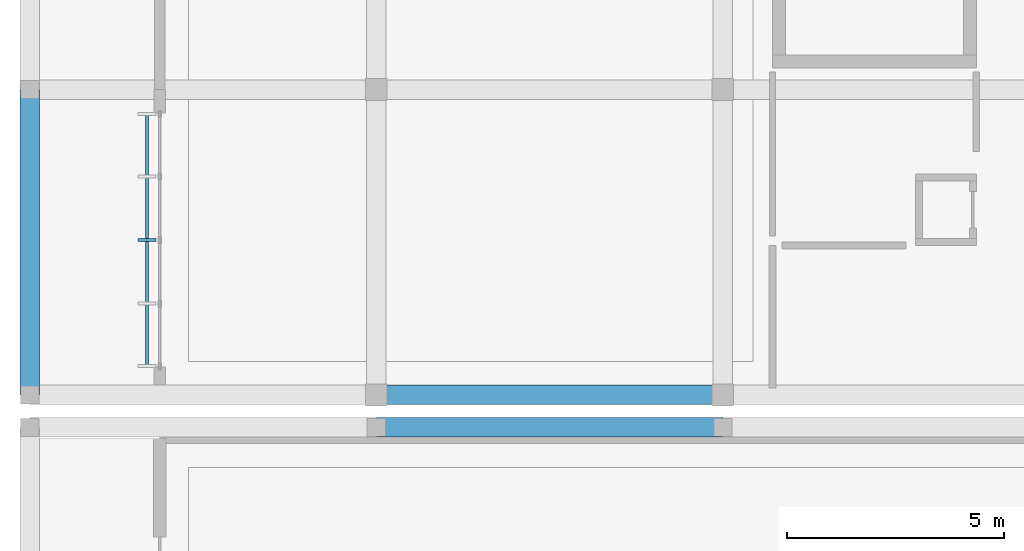
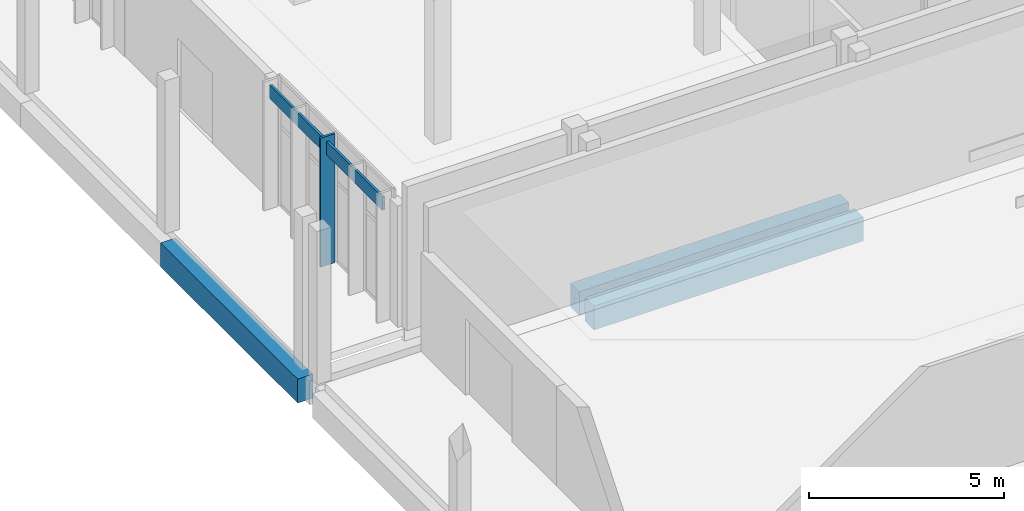
# One storey, part 24 of 151: 3 beams, 2 members, 1 element without a shape of its own.
"""IFC4 building model written with IfcOpenShell, lengths in metres."""

from ifc_helpers import new_model, si_unit, direction, frame, origin, origin_2d, place, context, subcontext, project, spatial, rectangle, extrude, material, material_profile, profile_set, type_object, element, aggregate, save


model = new_model("IFC4")

# Units and contexts
model_context = context("Model", 3, precision=1e-05, world=origin(), true_north=direction((0.0, 1.0)))
body_context = subcontext(model_context, "Body", "Model", "MODEL_VIEW")
ifc_project = project(units=[si_unit("LENGTHUNIT", "METRE"), si_unit("AREAUNIT", "SQUARE_METRE"), si_unit("VOLUMEUNIT", "CUBIC_METRE"), si_unit("PLANEANGLEUNIT", "RADIAN"), si_unit("MASSUNIT", "GRAM", prefix="KILO")], contexts=[model_context])

# Site, building, storey
site_placement = place(None, origin())
site = spatial("IfcSite", under=ifc_project, at=site_placement, CompositionType="ELEMENT")
building_placement = place(site_placement, origin())
building = spatial("IfcBuilding", under=site, at=building_placement, Name="Chiffa Square Polytechnic", CompositionType="ELEMENT")
storey_placement = place(building_placement, origin())
storey = spatial("IfcBuildingStorey", under=building, at=storey_placement, Name="L00", CompositionType="ELEMENT", Elevation=0.0)

# Curtain wall, members
ifc_material_1 = material(Name="Aluminium EN AW-6060 T66 and glulam shading", Category="wood")
curtain_wall_type = type_object("IfcCurtainWallType", Name="CW-VERT-480X380", PredefinedType="USERDEFINED", material=ifc_material_1)
curtain_wall_placement = place(storey_placement, origin())
curtain_wall = element("IfcCurtainWall", 1, at=curtain_wall_placement, inside=storey, type_object=curtain_wall_type, Name="Curtain wall CW-V6-L00-254", ObjectType="CURTAIN WALL", PredefinedType="USERDEFINED")
ifc_material_2 = material(Name="Glulam GL28h", Category="wood")
ifc_material_profile_1 = material_profile(ifc_material_2, rectangle(XDim=0.070068359375, YDim=0.419921875, at=origin_2d()), Name="GL28h 70x420")
ifc_profile_set_1 = profile_set([ifc_material_profile_1], Name="Glulam GL28h")
member_type_1 = type_object("IfcMemberType", Name="CWM-GL-70X420", PredefinedType="MULLION", material=ifc_profile_set_1)
member_1_placement = place(storey_placement, frame((2.7080078125, 40.324951171875, 0.010009765625), z_axis=(0.0, 0.0, 1.0), x_axis=(0.0, -1.0, 0.0)))
member_1 = element("IfcMember", 2, at=member_1_placement, type_object=member_type_1, Name="Exterior glulam solar fin CW-V6-L00-254-FN02", PredefinedType="MULLION", context=body_context, shape_type="SweptSolid", body=[
    extrude(rectangle(XDim=0.070068359375, YDim=0.419921875, at=origin_2d()), origin(), (0.0, 0.0, 1.0), 4.044921875),
])
ifc_material_profile_2 = material_profile(ifc_material_2, rectangle(XDim=0.070068359375, YDim=0.419921875, at=origin_2d()), Name="GL28h 70x420")
ifc_profile_set_2 = profile_set([ifc_material_profile_2], Name="Glulam GL28h")
member_type_2 = type_object("IfcMemberType", Name="CWT-GL-70X420", PredefinedType="USERDEFINED", material=ifc_profile_set_2)
member_2_placement = place(storey_placement, frame((2.7080078125, 43.235107421875, 3.68505859375), z_axis=(0.0, -1.0, 0.0), x_axis=(1.0, 0.0, 0.0)))
member_2 = element("IfcMember", 3, at=member_2_placement, type_object=member_type_2, Name="Exterior glulam brise-soleil CW-V6-L00-254-BS01", ObjectType="TRANSOM", PredefinedType="USERDEFINED", context=body_context, shape_type="SweptSolid", body=[
    extrude(rectangle(XDim=0.070068359375, YDim=0.419921875, at=origin_2d()), origin(), (0.0, 0.0, 1.0), 5.820068359375),
])
aggregate(curtain_wall, [member_1, member_2])

# Beams
ifc_material_3 = material(Name="Concrete C35/45", Category="concrete")
ifc_material_profile_3 = material_profile(ifc_material_3, rectangle(XDim=0.449951171875, YDim=0.75, at=origin_2d()), Name="RC 450x750")
ifc_profile_set_3 = profile_set([ifc_material_profile_3], Name="Concrete C35/45")
beam_type = type_object("IfcBeamType", Name="GB-RC-450X750", PredefinedType="BEAM", material=ifc_profile_set_3)
for number, where, z_axis, x_axis, name in (
    (4, (8.0, 36.0, -0.77490234375), (1.0, 0.0, 0.0), (0.0, 1.0, 0.0), "Ground tie beam GB-V3-X-067"),
    (5, (8.0, 36.75, -0.77490234375), (1.0, 0.0, 0.0), (0.0, 1.0, 0.0), "Ground tie beam GB-V6-X-146"),
):
    element("IfcBeam", number, at=place(storey_placement, frame(where, z_axis=z_axis, x_axis=x_axis)), inside=storey, type_object=beam_type, Name=name, PredefinedType="BEAM", context=body_context, shape_type="SweptSolid", body=[
        extrude(rectangle(XDim=0.449951171875, YDim=0.75, at=origin_2d()), origin(), (0.0, 0.0, 1.0), 8.0),
    ])
beam_placement = place(storey_placement, frame((0.0, 36.75, -0.77490234375), z_axis=(0.0, 1.0, 0.0), x_axis=(-1.0, 0.0, 0.0)))
element("IfcBeam", 6, at=beam_placement, inside=storey, type_object=beam_type, Name="Ground tie beam GB-V6-Y-195", PredefinedType="BEAM", context=body_context, shape_type="SweptSolid", body=[
    extrude(rectangle(XDim=0.449951171875, YDim=0.75, at=origin_2d()), origin(), (0.0, 0.0, 1.0), 7.050048828125),
])

save(model, "model.ifc")
